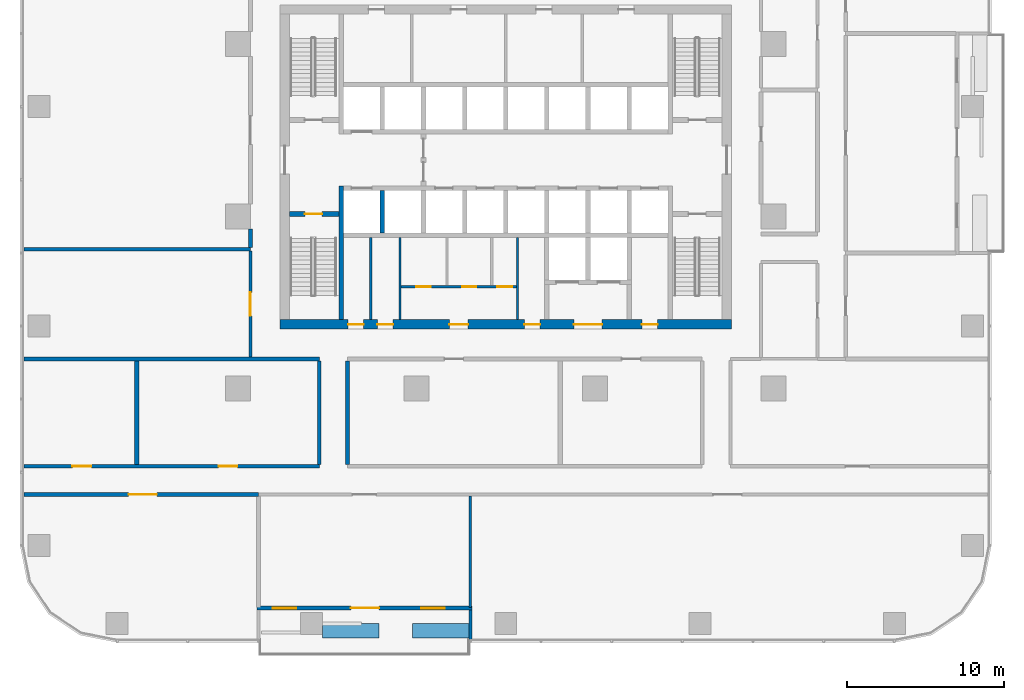
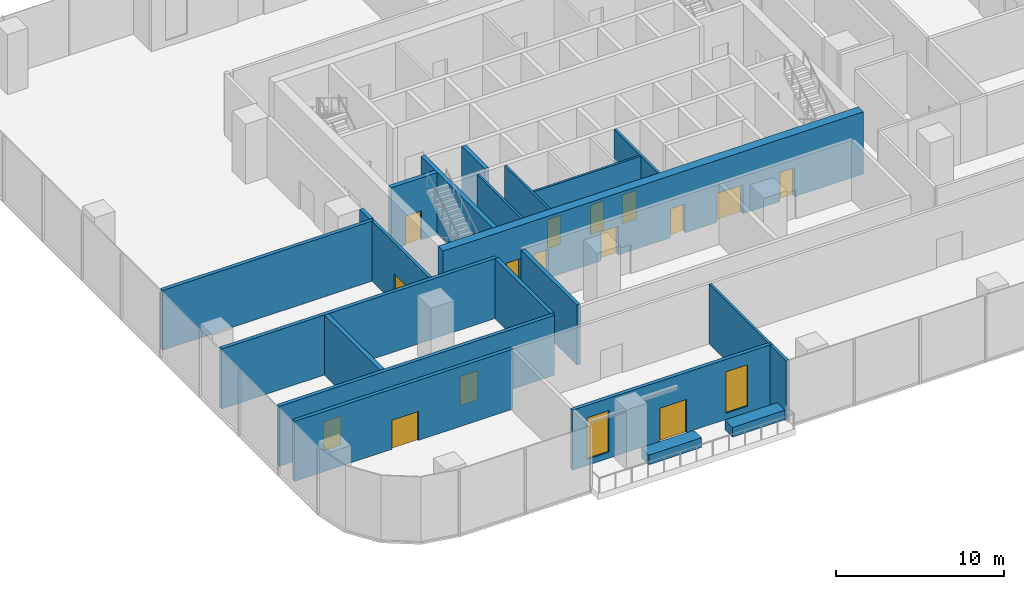
# One storey, part 7 of 15: 22 walls, 15 doors, 2 windows, 17 openings.
"""IFC4 building model written with IfcOpenShell, lengths in metres."""

from ifc_helpers import new_model, si_unit, direction, frame, frame_2d, origin, place, context, subcontext, project, spatial, rectangle, extrude, material, layer, layer_set, type_object, element, fill, save


model = new_model("IFC4")

# Units and contexts
model_context = context("Model", 3, precision=1e-05, world=origin(), true_north=direction((0.0, 1.0)))
body_context = subcontext(model_context, "Body", "Model", "MODEL_VIEW")
ifc_project = project(units=[si_unit("LENGTHUNIT", "METRE"), si_unit("AREAUNIT", "SQUARE_METRE"), si_unit("VOLUMEUNIT", "CUBIC_METRE"), si_unit("PLANEANGLEUNIT", "RADIAN"), si_unit("MASSUNIT", "GRAM", prefix="KILO")], contexts=[model_context])

# Site, building, storey
site_placement = place(None, origin())
site = spatial("IfcSite", under=ifc_project, at=site_placement, CompositionType="ELEMENT")
building_placement = place(site_placement, origin())
building = spatial("IfcBuilding", under=site, at=building_placement, Name="Mopane Tessera Tower", CompositionType="ELEMENT")
storey_placement = place(building_placement, frame((0.0, 0.0, 64.60009765625)))
storey = spatial("IfcBuildingStorey", under=building, at=storey_placement, Name="L12", CompositionType="ELEMENT", Elevation=64.60009765625)

# Walls
ifc_material_1 = material(Name="Fire-rated gypsum board partition")
ifc_layer_1 = layer(ifc_material_1, 0.14990234375)
ifc_layer_set_1 = layer_set([ifc_layer_1], Name="Fire-rated gypsum board partition")
wall_type_1 = type_object("IfcWallType", Name="Core room partition 150 mm", PredefinedType="PARTITIONING", material=ifc_layer_set_1)
for number, where, z_axis, x_axis, name in (
    (1, (-8.625, -6.60009765625, 0.0), (0.0, 0.0, 1.0), (0.0, 1.0, 0.0), "L12 Room partition"),
    (2, (-6.75, -6.60009765625, 0.0), (0.0, 0.0, 1.0), (0.0, 1.0, 0.0), "L12 Room partition"),
):
    element("IfcWall", number, at=place(storey_placement, frame(where, z_axis=z_axis, x_axis=x_axis)), inside=storey, type_object=wall_type_1, Name=name, PredefinedType="PARTITIONING", context=body_context, shape_type="SweptSolid", body=[
        extrude(rectangle(XDim=5.25, YDim=0.14990234375, at=frame_2d((2.625, 0.0))), origin(), (0.0, 0.0, 1.0), 4.5),
    ])

# Wall, openings, doors
wall_1_placement = place(storey_placement, frame((-6.675048828125, -4.5, 0.0), z_axis=(0.0, 0.0, 1.0), x_axis=(1.0, 0.0, 0.0)))
wall_1 = element("IfcWall", 3, at=wall_1_placement, inside=storey, type_object=wall_type_1, Name="L12 WC partition", PredefinedType="PARTITIONING", context=body_context, shape_type="SweptSolid", body=[
    extrude(rectangle(XDim=7.35009765625, YDim=0.14990234375, at=frame_2d((3.675048828125, 0.0))), origin(), (0.0, 0.0, 1.0), 4.5),
])
opening_1_placement = place(wall_1_placement, frame((0.97509765625, 0.0, 0.0)))
opening_1 = element("IfcOpeningElement", 4, at=opening_1_placement, cuts=wall_1, Name="Opening WD1", PredefinedType="OPENING", context=body_context, shape_type="SweptSolid", body=[
    extrude(rectangle(XDim=0.89990234375, YDim=2.10009765625, at=frame_2d((0.449951171875, 1.050048828125))), frame((0.0, 0.0869140625, 0.0), z_axis=(0.0, -1.0, 0.0), x_axis=(1.0, 0.0, 0.0)), (0.0, 0.0, 1.0), 0.173828125),
])
opening_2_placement = place(wall_1_placement, frame((3.89990234375, 0.0, 0.0)))
opening_2 = element("IfcOpeningElement", 5, at=opening_2_placement, cuts=wall_1, Name="Opening WD1", PredefinedType="OPENING", context=body_context, shape_type="SweptSolid", body=[
    extrude(rectangle(XDim=0.89990234375, YDim=2.10009765625, at=frame_2d((0.449951171875, 1.050048828125))), frame((0.0, 0.0869140625, 0.0), z_axis=(0.0, -1.0, 0.0), x_axis=(1.0, 0.0, 0.0)), (0.0, 0.0, 1.0), 0.173828125),
])
opening_3_placement = place(wall_1_placement, frame((6.125, 0.0, 0.0)))
opening_3 = element("IfcOpeningElement", 6, at=opening_3_placement, cuts=wall_1, Name="Opening WD2", PredefinedType="OPENING", context=body_context, shape_type="SweptSolid", body=[
    extrude(rectangle(XDim=0.949951171875, YDim=2.10009765625, at=frame_2d((0.47509765625, 1.050048828125))), frame((0.0, 0.0869140625, 0.0), z_axis=(0.0, -1.0, 0.0), x_axis=(1.0, 0.0, 0.0)), (0.0, 0.0, 1.0), 0.173828125),
])
ifc_material_2 = material(Name="Timber door", Category="wood")
door_type_1 = type_object("IfcDoorType", Name="Accessible WC door 950 x 2100", OperationType="SINGLE_SWING_LEFT", PredefinedType="DOOR", material=ifc_material_2)
door_1_placement = place(opening_3_placement, origin())
door_1 = element("IfcDoor", 7, at=door_1_placement, inside=storey, type_object=door_type_1, Name="L12 Accessible WC door", OperationType="SINGLE_SWING_LEFT", OverallHeight=2.10009765625, OverallWidth=0.949951171875, PredefinedType="DOOR", context=body_context, shape_type="SweptSolid", body=[
    extrude(rectangle(XDim=0.949951171875, YDim=2.10009765625, at=frame_2d((0.47509765625, 1.050048828125))), frame((0.0, 0.02490234375, 0.0), z_axis=(0.0, -1.0, 0.0), x_axis=(1.0, 0.0, 0.0)), (0.0, 0.0, 1.0), 0.050048828125),
])
fill(opening_3, door_1)
ifc_material_3 = material(Name="Timber door", Category="wood")
door_type_2 = type_object("IfcDoorType", Name="WC cubicle door 900 x 2100", OperationType="SINGLE_SWING_LEFT", PredefinedType="DOOR", material=ifc_material_3)
door_2_placement = place(opening_1_placement, origin())
door_2 = element("IfcDoor", 8, at=door_2_placement, inside=storey, type_object=door_type_2, Name="L12 Men's WC door", OperationType="SINGLE_SWING_LEFT", OverallHeight=2.10009765625, OverallWidth=0.89990234375, PredefinedType="DOOR", context=body_context, shape_type="SweptSolid", body=[
    extrude(rectangle(XDim=0.89990234375, YDim=2.10009765625, at=frame_2d((0.449951171875, 1.050048828125))), frame((0.0, 0.02490234375, 0.0), z_axis=(0.0, -1.0, 0.0), x_axis=(1.0, 0.0, 0.0)), (0.0, 0.0, 1.0), 0.050048828125),
])
fill(opening_1, door_2)
door_3_placement = place(opening_2_placement, origin())
door_3 = element("IfcDoor", 9, at=door_3_placement, inside=storey, type_object=door_type_2, Name="L12 Women's WC door", OperationType="SINGLE_SWING_LEFT", OverallHeight=2.10009765625, OverallWidth=0.89990234375, PredefinedType="DOOR", context=body_context, shape_type="SweptSolid", body=[
    extrude(rectangle(XDim=0.89990234375, YDim=2.10009765625, at=frame_2d((0.449951171875, 1.050048828125))), frame((0.0, 0.02490234375, 0.0), z_axis=(0.0, -1.0, 0.0), x_axis=(1.0, 0.0, 0.0)), (0.0, 0.0, 1.0), 0.050048828125),
])
fill(opening_2, door_3)

# Wall
wall_2_placement = place(storey_placement, frame((0.75, -6.60009765625, 0.0), z_axis=(0.0, 0.0, 1.0), x_axis=(0.0, 1.0, 0.0)))
element("IfcWall", 10, at=wall_2_placement, inside=storey, type_object=wall_type_1, Name="L12 Room partition", PredefinedType="PARTITIONING", context=body_context, shape_type="SweptSolid", body=[
    extrude(rectangle(XDim=5.25, YDim=0.14990234375, at=frame_2d((2.625, 0.0))), origin(), (0.0, 0.0, 1.0), 4.5),
])

# Wall, openings, doors
ifc_material_4 = material(Name="Concrete C70/85", Category="concrete")
ifc_layer_2 = layer(ifc_material_4, 0.60009765625)
ifc_layer_set_2 = layer_set([ifc_layer_2], Name="Concrete C70/85")
wall_type_2 = type_object("IfcWallType", Name="Core shear wall 600 mm", PredefinedType="SHEAR", material=ifc_layer_set_2)
wall_3_placement = place(storey_placement, frame((-14.39990234375, -6.89990234375, 0.0), z_axis=(0.0, 0.0, 1.0), x_axis=(1.0, 0.0, 0.0)))
wall_3 = element("IfcWall", 11, at=wall_3_placement, inside=storey, type_object=wall_type_2, Name="L12 Core wall south", PredefinedType="SHEAR", context=body_context, shape_type="SweptSolid", body=[
    extrude(rectangle(XDim=28.7998046875, YDim=0.60009765625, at=frame_2d((14.39990234375, 0.0))), origin(), (0.0, 0.0, 1.0), 4.5),
])
opening_4_placement = place(wall_3_placement, frame((4.33740234375, 0.0, 0.0)))
opening_4 = element("IfcOpeningElement", 12, at=opening_4_placement, cuts=wall_3, Name="Opening RD1", PredefinedType="OPENING", context=body_context, shape_type="SweptSolid", body=[
    extrude(rectangle(XDim=1.0, YDim=2.10009765625, at=frame_2d((0.5, 1.050048828125))), frame((0.0, 0.31201171875, 0.0), z_axis=(0.0, -1.0, 0.0), x_axis=(1.0, 0.0, 0.0)), (0.0, 0.0, 1.0), 0.6240234375),
])
opening_5_placement = place(wall_3_placement, frame((6.21240234375, 0.0, 0.0)))
opening_5 = element("IfcOpeningElement", 13, at=opening_5_placement, cuts=wall_3, Name="Opening RD1", PredefinedType="OPENING", context=body_context, shape_type="SweptSolid", body=[
    extrude(rectangle(XDim=1.0, YDim=2.10009765625, at=frame_2d((0.5, 1.050048828125))), frame((0.0, 0.31201171875, 0.0), z_axis=(0.0, -1.0, 0.0), x_axis=(1.0, 0.0, 0.0)), (0.0, 0.0, 1.0), 0.6240234375),
])
opening_6_placement = place(wall_3_placement, frame((10.800048828125, 0.0, 0.0)))
opening_6 = element("IfcOpeningElement", 14, at=opening_6_placement, cuts=wall_3, Name="Opening WD3", PredefinedType="OPENING", context=body_context, shape_type="SweptSolid", body=[
    extrude(rectangle(XDim=1.199951171875, YDim=2.10009765625, at=frame_2d((0.60009765625, 1.050048828125))), frame((0.0, 0.31201171875, 0.0), z_axis=(0.0, -1.0, 0.0), x_axis=(1.0, 0.0, 0.0)), (0.0, 0.0, 1.0), 0.6240234375),
])
opening_7_placement = place(wall_3_placement, frame((15.58740234375, 0.0, 0.0)))
opening_7 = element("IfcOpeningElement", 15, at=opening_7_placement, cuts=wall_3, Name="Opening RD1", PredefinedType="OPENING", context=body_context, shape_type="SweptSolid", body=[
    extrude(rectangle(XDim=1.0, YDim=2.10009765625, at=frame_2d((0.5, 1.050048828125))), frame((0.0, 0.31201171875, 0.0), z_axis=(0.0, -1.0, 0.0), x_axis=(1.0, 0.0, 0.0)), (0.0, 0.0, 1.0), 0.6240234375),
])
opening_8_placement = place(wall_3_placement, frame((18.75, 0.0, 0.0)))
opening_8 = element("IfcOpeningElement", 16, at=opening_8_placement, cuts=wall_3, Name="Opening SD2", PredefinedType="OPENING", context=body_context, shape_type="SweptSolid", body=[
    extrude(rectangle(XDim=1.800048828125, YDim=2.10009765625, at=frame_2d((0.89990234375, 1.050048828125))), frame((0.0, 0.31201171875, 0.0), z_axis=(0.0, -1.0, 0.0), x_axis=(1.0, 0.0, 0.0)), (0.0, 0.0, 1.0), 0.6240234375),
])
opening_9_placement = place(wall_3_placement, frame((23.08740234375, 0.0, 0.0)))
opening_9 = element("IfcOpeningElement", 17, at=opening_9_placement, cuts=wall_3, Name="Opening RD1", PredefinedType="OPENING", context=body_context, shape_type="SweptSolid", body=[
    extrude(rectangle(XDim=1.0, YDim=2.10009765625, at=frame_2d((0.5, 1.050048828125))), frame((0.0, 0.31201171875, 0.0), z_axis=(0.0, -1.0, 0.0), x_axis=(1.0, 0.0, 0.0)), (0.0, 0.0, 1.0), 0.6240234375),
])
ifc_material_5 = material(Name="Steel fire door", Category="steel")
door_type_3 = type_object("IfcDoorType", Name="Core entrance double door 1800 x 2100", OperationType="DOUBLE_DOOR_SINGLE_SWING", PredefinedType="DOOR", material=ifc_material_5)
door_4_placement = place(opening_8_placement, origin())
door_4 = element("IfcDoor", 18, at=door_4_placement, inside=storey, type_object=door_type_3, Name="L12 Service lobby door", OperationType="DOUBLE_DOOR_SINGLE_SWING", OverallHeight=2.10009765625, OverallWidth=1.800048828125, PredefinedType="DOOR", context=body_context, shape_type="SweptSolid", body=[
    extrude(rectangle(XDim=1.800048828125, YDim=2.10009765625, at=frame_2d((0.89990234375, 1.050048828125))), frame((0.0, 0.02490234375, 0.0), z_axis=(0.0, -1.0, 0.0), x_axis=(1.0, 0.0, 0.0)), (0.0, 0.0, 1.0), 0.050048828125),
])
fill(opening_8, door_4)
ifc_material_6 = material(Name="Timber door", Category="wood")
door_type_4 = type_object("IfcDoorType", Name="Core room door 1000 x 2100", OperationType="SINGLE_SWING_LEFT", PredefinedType="DOOR", material=ifc_material_6)
door_5_placement = place(opening_4_placement, origin())
door_5 = element("IfcDoor", 19, at=door_5_placement, inside=storey, type_object=door_type_4, Name="L12 Room door", OperationType="SINGLE_SWING_LEFT", OverallHeight=2.10009765625, OverallWidth=1.0, PredefinedType="DOOR", context=body_context, shape_type="SweptSolid", body=[
    extrude(rectangle(XDim=1.0, YDim=2.10009765625, at=frame_2d((0.5, 1.050048828125))), frame((0.0, 0.02490234375, 0.0), z_axis=(0.0, -1.0, 0.0), x_axis=(1.0, 0.0, 0.0)), (0.0, 0.0, 1.0), 0.050048828125),
])
fill(opening_4, door_5)
door_6_placement = place(opening_5_placement, origin())
door_6 = element("IfcDoor", 20, at=door_6_placement, inside=storey, type_object=door_type_4, Name="L12 Room door", OperationType="SINGLE_SWING_LEFT", OverallHeight=2.10009765625, OverallWidth=1.0, PredefinedType="DOOR", context=body_context, shape_type="SweptSolid", body=[
    extrude(rectangle(XDim=1.0, YDim=2.10009765625, at=frame_2d((0.5, 1.050048828125))), frame((0.0, 0.02490234375, 0.0), z_axis=(0.0, -1.0, 0.0), x_axis=(1.0, 0.0, 0.0)), (0.0, 0.0, 1.0), 0.050048828125),
])
fill(opening_5, door_6)
door_7_placement = place(opening_7_placement, origin())
door_7 = element("IfcDoor", 21, at=door_7_placement, inside=storey, type_object=door_type_4, Name="L12 Room door", OperationType="SINGLE_SWING_LEFT", OverallHeight=2.10009765625, OverallWidth=1.0, PredefinedType="DOOR", context=body_context, shape_type="SweptSolid", body=[
    extrude(rectangle(XDim=1.0, YDim=2.10009765625, at=frame_2d((0.5, 1.050048828125))), frame((0.0, 0.02490234375, 0.0), z_axis=(0.0, -1.0, 0.0), x_axis=(1.0, 0.0, 0.0)), (0.0, 0.0, 1.0), 0.050048828125),
])
fill(opening_7, door_7)
door_8_placement = place(opening_9_placement, origin())
door_8 = element("IfcDoor", 22, at=door_8_placement, inside=storey, type_object=door_type_4, Name="L12 Room door", OperationType="SINGLE_SWING_LEFT", OverallHeight=2.10009765625, OverallWidth=1.0, PredefinedType="DOOR", context=body_context, shape_type="SweptSolid", body=[
    extrude(rectangle(XDim=1.0, YDim=2.10009765625, at=frame_2d((0.5, 1.050048828125))), frame((0.0, 0.02490234375, 0.0), z_axis=(0.0, -1.0, 0.0), x_axis=(1.0, 0.0, 0.0)), (0.0, 0.0, 1.0), 0.050048828125),
])
fill(opening_9, door_8)
ifc_material_7 = material(Name="Timber door", Category="wood")
door_type_5 = type_object("IfcDoorType", Name="WC lobby door 1200 x 2100", OperationType="SINGLE_SWING_LEFT", PredefinedType="DOOR", material=ifc_material_7)
door_9_placement = place(opening_6_placement, origin())
door_9 = element("IfcDoor", 23, at=door_9_placement, inside=storey, type_object=door_type_5, Name="L12 WC lobby door", OperationType="SINGLE_SWING_LEFT", OverallHeight=2.10009765625, OverallWidth=1.199951171875, PredefinedType="DOOR", context=body_context, shape_type="SweptSolid", body=[
    extrude(rectangle(XDim=1.199951171875, YDim=2.10009765625, at=frame_2d((0.60009765625, 1.050048828125))), frame((0.0, 0.02490234375, 0.0), z_axis=(0.0, -1.0, 0.0), x_axis=(1.0, 0.0, 0.0)), (0.0, 0.0, 1.0), 0.050048828125),
])
fill(opening_6, door_9)

# Wall
ifc_material_8 = material(Name="Concrete C60/75", Category="concrete")
ifc_layer_3 = layer(ifc_material_8, 0.300048828125)
ifc_layer_set_3 = layer_set([ifc_layer_3], Name="Concrete C60/75")
wall_type_3 = type_object("IfcWallType", Name="Core spine wall 300 mm", PredefinedType="SHEAR", material=ifc_layer_set_3)
wall_4_placement = place(storey_placement, frame((-10.5, -6.60009765625, 0.0), z_axis=(0.0, 0.0, 1.0), x_axis=(0.0, 1.0, 0.0)))
element("IfcWall", 24, at=wall_4_placement, inside=storey, type_object=wall_type_3, Name="L12 Core spine wall", PredefinedType="SHEAR", context=body_context, shape_type="SweptSolid", body=[
    extrude(rectangle(XDim=8.550048828125, YDim=0.300048828125, at=frame_2d((4.27490234375, 0.0))), origin(), (0.0, 0.0, 1.0), 4.5),
])

# Wall, opening, door
ifc_material_9 = material(Name="Gypsum board on steel studs, two layers each face, mineral wool infill", Category="steel")
ifc_layer_4 = layer(ifc_material_9, 0.199951171875)
ifc_layer_set_4 = layer_set([ifc_layer_4], Name="Gypsum board on steel studs, two layers each face, mineral wool infill")
wall_type_4 = type_object("IfcWallType", Name="Gypsum board corridor wall 200, rated EI 60", PredefinedType="PARTITIONING", material=ifc_layer_set_4)
wall_5_placement = place(storey_placement, frame((-16.300048828125, -8.97509765625, 0.0), z_axis=(0.0, 0.0, 1.0), x_axis=(0.0, 1.0, 0.0)))
wall_5 = element("IfcWall", 25, at=wall_5_placement, inside=storey, type_object=wall_type_4, Name="Partition L12:022", PredefinedType="PARTITIONING", context=body_context, shape_type="SweptSolid", body=[
    extrude(rectangle(XDim=6.75, YDim=0.199951171875, at=frame_2d((3.375, 0.0))), origin(), (0.0, 0.0, 1.0), 4.349853515625),
])
opening_10_placement = place(wall_5_placement, frame((2.625, 0.0, 0.0)))
opening_10 = element("IfcOpeningElement", 26, at=opening_10_placement, cuts=wall_5, Name="Opening L12-04", PredefinedType="OPENING", context=body_context, shape_type="SweptSolid", body=[
    extrude(rectangle(XDim=1.5, YDim=2.10009765625, at=frame_2d((0.75, 1.050048828125))), frame((0.0, 0.112060546875, 0.0), z_axis=(0.0, -1.0, 0.0), x_axis=(1.0, 0.0, 0.0)), (0.0, 0.0, 1.0), 0.223876953125),
])
ifc_material_10 = material(Name="Timber veneered steel-framed fire door", Category="steel")
door_type_6 = type_object("IfcDoorType", Name="Fire door pair FD60 1500 x 2100", OperationType="DOUBLE_DOOR_SINGLE_SWING", PredefinedType="DOOR", material=ifc_material_10)
door_10_placement = place(opening_10_placement, origin())
door_10 = element("IfcDoor", 27, at=door_10_placement, inside=storey, type_object=door_type_6, Name="Door L12-04", ObjectType="D17A", OperationType="DOUBLE_DOOR_SINGLE_SWING", OverallHeight=2.10009765625, OverallWidth=1.5, PredefinedType="DOOR", context=body_context, shape_type="SweptSolid", body=[
    extrude(rectangle(XDim=1.5, YDim=2.10009765625, at=frame_2d((0.75, 1.050048828125))), frame((0.0, 0.02490234375, 0.0), z_axis=(0.0, -1.0, 0.0), x_axis=(1.0, 0.0, 0.0)), (0.0, 0.0, 1.0), 0.050048828125),
])
fill(opening_10, door_10)

# Wall
ifc_material_11 = material(Name="Gypsum board on steel studs, mineral wool infill", Category="steel")
ifc_layer_5 = layer(ifc_material_11, 0.14990234375)
ifc_layer_set_5 = layer_set([ifc_layer_5], Name="Gypsum board on steel studs, mineral wool infill")
wall_type_5 = type_object("IfcWallType", Name="Gypsum board partition 150, rated EI 60", PredefinedType="PARTITIONING", material=ifc_layer_set_5)
wall_6_placement = place(storey_placement, frame((-2.2548828125, -24.949951171875, 0.0), z_axis=(0.0, 0.0, 1.0), x_axis=(0.0, 1.0, 0.0)))
element("IfcWall", 28, at=wall_6_placement, inside=storey, type_object=wall_type_5, Name="Partition L12:029", PredefinedType="PARTITIONING", context=body_context, shape_type="SweptSolid", body=[
    extrude(rectangle(XDim=7.099853515625, YDim=0.14990234375, at=frame_2d((3.5498046875, 0.0))), origin(), (0.0, 0.0, 1.0), 4.349853515625),
])

# Wall, opening, door
ifc_material_12 = material(Name="Concrete C50/60", Category="concrete")
ifc_layer_6 = layer(ifc_material_12, 0.300048828125)
ifc_layer_set_6 = layer_set([ifc_layer_6], Name="Concrete C50/60")
wall_type_6 = type_object("IfcWallType", Name="Lift and stair shaft wall 300 mm", PredefinedType="SOLIDWALL", material=ifc_layer_set_6)
wall_7_placement = place(storey_placement, frame((-13.800048828125, 0.14990234375, 0.0), z_axis=(0.0, 0.0, 1.0), x_axis=(1.0, 0.0, 0.0)))
wall_7 = element("IfcWall", 29, at=wall_7_placement, inside=storey, type_object=wall_type_6, Name="L12 Stair enclosure wall", PredefinedType="SOLIDWALL", context=body_context, shape_type="SweptSolid", body=[
    extrude(rectangle(XDim=3.150146484375, YDim=0.300048828125, at=frame_2d((1.5751953125, 0.0))), origin(), (0.0, 0.0, 1.0), 4.5),
])
opening_11_placement = place(wall_7_placement, frame((0.97509765625, 0.0, 0.0)))
opening_11 = element("IfcOpeningElement", 30, at=opening_11_placement, cuts=wall_7, Name="Opening SD1", PredefinedType="OPENING", context=body_context, shape_type="SweptSolid", body=[
    extrude(rectangle(XDim=1.10009765625, YDim=2.10009765625, at=frame_2d((0.550048828125, 1.050048828125))), frame((0.0, 0.162109375, 0.0), z_axis=(0.0, -1.0, 0.0), x_axis=(1.0, 0.0, 0.0)), (0.0, 0.0, 1.0), 0.323974609375),
])
ifc_material_13 = material(Name="Steel fire door", Category="steel")
door_type_7 = type_object("IfcDoorType", Name="Stair fire door 1100 x 2100", OperationType="SINGLE_SWING_LEFT", PredefinedType="DOOR", material=ifc_material_13)
door_11_placement = place(opening_11_placement, origin())
door_11 = element("IfcDoor", 31, at=door_11_placement, inside=storey, type_object=door_type_7, Name="L12 Stair door ST1", OperationType="SINGLE_SWING_LEFT", OverallHeight=2.10009765625, OverallWidth=1.10009765625, PredefinedType="DOOR", context=body_context, shape_type="SweptSolid", body=[
    extrude(rectangle(XDim=1.10009765625, YDim=2.10009765625, at=frame_2d((0.550048828125, 1.050048828125))), frame((0.0, 0.02490234375, 0.0), z_axis=(0.0, -1.0, 0.0), x_axis=(1.0, 0.0, 0.0)), (0.0, 0.0, 1.0), 0.050048828125),
])
fill(opening_11, door_11)

# Walls
wall_8_placement = place(storey_placement, frame((-7.875, -1.050048828125, 0.0), z_axis=(0.0, 0.0, 1.0), x_axis=(0.0, 1.0, 0.0)))
element("IfcWall", 32, at=wall_8_placement, inside=storey, type_object=wall_type_6, Name="L12 Lift shaft wall", PredefinedType="SOLIDWALL", context=body_context, shape_type="SweptSolid", body=[
    extrude(rectangle(XDim=2.699951171875, YDim=0.300048828125, at=frame_2d((1.35009765625, 0.0))), origin(), (0.0, 0.0, 1.0), 4.5),
])
ifc_material_14 = material(Name="Reinforced concrete C32/40 with waterproofing", Category="concrete")
ifc_layer_7 = layer(ifc_material_14, 0.89990234375)
ifc_layer_set_7 = layer_set([ifc_layer_7], Name="Reinforced concrete C32/40 with waterproofing")
wall_type_7 = type_object("IfcWallType", Name="Planter trough 3600 x 900", PredefinedType="STANDARD", material=ifc_layer_set_7)
for number, where, z_axis, x_axis, name in (
    (33, (-11.679931640625, -26.449951171875, 0.0), (0.0, 0.0, 1.0), (1.0, 0.0, 0.0), "e:nw:L12:N3:pl0"),
    (34, (-5.95458984375, -26.449951171875, 0.0), (0.0, 0.0, 1.0), (1.0, 0.0, 0.0), "e:nw:L12:N3:pl1"),
):
    element("IfcWall", number, at=place(storey_placement, frame(where, z_axis=z_axis, x_axis=x_axis)), inside=storey, type_object=wall_type_7, Name=name, PredefinedType="STANDARD", context=body_context, shape_type="SweptSolid", body=[
        extrude(rectangle(XDim=3.60009765625, YDim=0.89990234375, at=frame_2d((1.800048828125, 0.0))), origin(), (0.0, 0.0, 1.0), 0.699951171875),
    ])
ifc_material_15 = material(Name="Plastered concrete blockwork C20/25", Category="masonry")
ifc_layer_8 = layer(ifc_material_15, 0.300048828125)
ifc_layer_set_8 = layer_set([ifc_layer_8], Name="Plastered concrete blockwork C20/25")
wall_type_8 = type_object("IfcWallType", Name="Plastered blockwork separation wall 300, rated EI 120", PredefinedType="PARTITIONING", material=ifc_layer_set_8)
wall_9_placement = place(storey_placement, frame((-23.554931640625, -15.824951171875, 0.0), z_axis=(0.0, 0.0, 1.0), x_axis=(0.0, 1.0, 0.0)))
element("IfcWall", 35, at=wall_9_placement, inside=storey, type_object=wall_type_8, Name="Partition L12:021", PredefinedType="PARTITIONING", context=body_context, shape_type="SweptSolid", body=[
    extrude(rectangle(XDim=6.599853515625, YDim=0.300048828125, at=frame_2d((3.2998046875, 0.0))), origin(), (0.0, 0.0, 1.0), 4.349853515625),
])

# Wall, opening, door
ifc_material_16 = material(Name="Plastered concrete blockwork C20/25", Category="masonry")
ifc_layer_9 = layer(ifc_material_16, 0.25)
ifc_layer_set_9 = layer_set([ifc_layer_9], Name="Plastered concrete blockwork C20/25")
wall_type_9 = type_object("IfcWallType", Name="Plastered blockwork wall 250, rated EI 120", PredefinedType="PARTITIONING", material=ifc_layer_set_9)
wall_10_placement = place(storey_placement, frame((-30.75, -17.75, 0.0), z_axis=(0.0, 0.0, 1.0), x_axis=(1.0, 0.0, 0.0)))
wall_10 = element("IfcWall", 36, at=wall_10_placement, inside=storey, type_object=wall_type_9, Name="Partition L12:001", PredefinedType="PARTITIONING", context=body_context, shape_type="SweptSolid", body=[
    extrude(rectangle(XDim=14.969970703125, YDim=0.25, at=frame_2d((7.48486328125, 0.0))), origin(), (0.0, 0.0, 1.0), 4.349853515625),
])
opening_12_placement = place(wall_10_placement, frame((6.68505859375, 0.0, 0.0)))
opening_12 = element("IfcOpeningElement", 37, at=opening_12_placement, cuts=wall_10, Name="Opening L12-09", PredefinedType="OPENING", context=body_context, shape_type="SweptSolid", body=[
    extrude(rectangle(XDim=1.800048828125, YDim=2.10009765625, at=frame_2d((0.89990234375, 1.050048828125))), frame((0.0, 0.136962890625, 0.0), z_axis=(0.0, -1.0, 0.0), x_axis=(1.0, 0.0, 0.0)), (0.0, 0.0, 1.0), 0.27392578125),
])
ifc_material_17 = material(Name="Timber veneered steel-framed fire door", Category="steel")
door_type_8 = type_object("IfcDoorType", Name="Fire door pair FD120 1800 x 2100", OperationType="DOUBLE_DOOR_SINGLE_SWING", PredefinedType="DOOR", material=ifc_material_17)
door_12_placement = place(opening_12_placement, origin())
door_12 = element("IfcDoor", 38, at=door_12_placement, inside=storey, type_object=door_type_8, Name="Door L12-09", ObjectType="D20B", OperationType="DOUBLE_DOOR_SINGLE_SWING", OverallHeight=2.10009765625, OverallWidth=1.800048828125, PredefinedType="DOOR", context=body_context, shape_type="SweptSolid", body=[
    extrude(rectangle(XDim=1.800048828125, YDim=2.10009765625, at=frame_2d((0.89990234375, 1.050048828125))), frame((0.0, 0.02490234375, 0.0), z_axis=(0.0, -1.0, 0.0), x_axis=(1.0, 0.0, 0.0)), (0.0, 0.0, 1.0), 0.050048828125),
])
fill(opening_12, door_12)

# Wall, openings, doors
wall_11_placement = place(storey_placement, frame((-30.75, -15.949951171875, 0.0), z_axis=(0.0, 0.0, 1.0), x_axis=(1.0, 0.0, 0.0)))
wall_11 = element("IfcWall", 39, at=wall_11_placement, inside=storey, type_object=wall_type_9, Name="Partition L12:003", PredefinedType="PARTITIONING", context=body_context, shape_type="SweptSolid", body=[
    extrude(rectangle(XDim=18.85009765625, YDim=0.25, at=frame_2d((9.425048828125, 0.0))), origin(), (0.0, 0.0, 1.0), 4.349853515625),
])
opening_13_placement = place(wall_11_placement, frame((3.097412109375, 0.0, 0.0)))
opening_13 = element("IfcOpeningElement", 40, at=opening_13_placement, cuts=wall_11, Name="Opening L12-01", PredefinedType="OPENING", context=body_context, shape_type="SweptSolid", body=[
    extrude(rectangle(XDim=1.199951171875, YDim=2.10009765625, at=frame_2d((0.60009765625, 1.050048828125))), frame((0.0, 0.136962890625, 0.0), z_axis=(0.0, -1.0, 0.0), x_axis=(1.0, 0.0, 0.0)), (0.0, 0.0, 1.0), 0.27392578125),
])
opening_14_placement = place(wall_11_placement, frame((12.422607421875, 0.0, 0.0)))
opening_14 = element("IfcOpeningElement", 41, at=opening_14_placement, cuts=wall_11, Name="Opening L12-11", PredefinedType="OPENING", context=body_context, shape_type="SweptSolid", body=[
    extrude(rectangle(XDim=1.199951171875, YDim=2.10009765625, at=frame_2d((0.60009765625, 1.050048828125))), frame((0.0, 0.136962890625, 0.0), z_axis=(0.0, -1.0, 0.0), x_axis=(1.0, 0.0, 0.0)), (0.0, 0.0, 1.0), 0.27392578125),
])
ifc_material_18 = material(Name="Timber veneered steel-framed fire door", Category="steel")
door_type_9 = type_object("IfcDoorType", Name="Fire door FD120 1200 x 2100", OperationType="SINGLE_SWING_LEFT", PredefinedType="DOOR", material=ifc_material_18)
door_13_placement = place(opening_13_placement, origin())
door_13 = element("IfcDoor", 42, at=door_13_placement, inside=storey, type_object=door_type_9, Name="Door L12-01", ObjectType="D15B", OperationType="SINGLE_SWING_LEFT", OverallHeight=2.10009765625, OverallWidth=1.199951171875, PredefinedType="DOOR", context=body_context, shape_type="SweptSolid", body=[
    extrude(rectangle(XDim=1.199951171875, YDim=2.10009765625, at=frame_2d((0.60009765625, 1.050048828125))), frame((0.0, 0.02490234375, 0.0), z_axis=(0.0, -1.0, 0.0), x_axis=(1.0, 0.0, 0.0)), (0.0, 0.0, 1.0), 0.050048828125),
])
fill(opening_13, door_13)
door_14_placement = place(opening_14_placement, origin())
door_14 = element("IfcDoor", 43, at=door_14_placement, inside=storey, type_object=door_type_9, Name="Door L12-11", ObjectType="D15B", OperationType="SINGLE_SWING_LEFT", OverallHeight=2.10009765625, OverallWidth=1.199951171875, PredefinedType="DOOR", context=body_context, shape_type="SweptSolid", body=[
    extrude(rectangle(XDim=1.199951171875, YDim=2.10009765625, at=frame_2d((0.60009765625, 1.050048828125))), frame((0.0, 0.02490234375, 0.0), z_axis=(0.0, -1.0, 0.0), x_axis=(1.0, 0.0, 0.0)), (0.0, 0.0, 1.0), 0.050048828125),
])
fill(opening_14, door_14)

# Walls
wall_12_placement = place(storey_placement, frame((-30.75, -9.10009765625, 0.0), z_axis=(0.0, 0.0, 1.0), x_axis=(1.0, 0.0, 0.0)))
element("IfcWall", 44, at=wall_12_placement, inside=storey, type_object=wall_type_9, Name="Partition L12:008", PredefinedType="PARTITIONING", context=body_context, shape_type="SweptSolid", body=[
    extrude(rectangle(XDim=18.85009765625, YDim=0.25, at=frame_2d((9.425048828125, 0.0))), origin(), (0.0, 0.0, 1.0), 4.349853515625),
])
wall_13_placement = place(storey_placement, frame((-30.75, -2.10009765625, 0.0), z_axis=(0.0, 0.0, 1.0), x_axis=(1.0, 0.0, 0.0)))
element("IfcWall", 45, at=wall_13_placement, inside=storey, type_object=wall_type_9, Name="Partition L12:013", PredefinedType="PARTITIONING", context=body_context, shape_type="SweptSolid", body=[
    extrude(rectangle(XDim=14.449951171875, YDim=0.25, at=frame_2d((7.22509765625, 0.0))), origin(), (0.0, 0.0, 1.0), 4.349853515625),
])
wall_14_placement = place(storey_placement, frame((-16.300048828125, -1.97509765625, 0.0), z_axis=(0.0, 0.0, 1.0), x_axis=(0.0, 1.0, 0.0)))
element("IfcWall", 46, at=wall_14_placement, inside=storey, type_object=wall_type_9, Name="Partition L12:023", PredefinedType="PARTITIONING", context=body_context, shape_type="SweptSolid", body=[
    extrude(rectangle(XDim=1.175048828125, YDim=0.25, at=frame_2d((0.58740234375, 0.0))), origin(), (0.0, 0.0, 1.0), 4.349853515625),
])
for number, where, z_axis, x_axis, name in (
    (47, (-11.89990234375, -15.824951171875, 0.0), (0.0, 0.0, 1.0), (0.0, 1.0, 0.0), "Partition L12:027"),
    (48, (-10.10009765625, -15.824951171875, 0.0), (0.0, 0.0, 1.0), (0.0, 1.0, 0.0), "Partition L12:028"),
):
    element("IfcWall", number, at=place(storey_placement, frame(where, z_axis=z_axis, x_axis=x_axis)), inside=storey, type_object=wall_type_9, Name=name, PredefinedType="PARTITIONING", context=body_context, shape_type="SweptSolid", body=[
        extrude(rectangle(XDim=6.599853515625, YDim=0.25, at=frame_2d((3.2998046875, 0.0))), origin(), (0.0, 0.0, 1.0), 4.349853515625),
    ])
ifc_material_19 = material(Name="Blockwork with glazed tile facing", Category="masonry")
ifc_layer_10 = layer(ifc_material_19, 0.199951171875)
ifc_layer_set_10 = layer_set([ifc_layer_10], Name="Blockwork with glazed tile facing")
wall_type_10 = type_object("IfcWallType", Name="Terrace cheek wall 200", PredefinedType="STANDARD", material=ifc_layer_set_10)
wall_15_placement = place(storey_placement, frame((-2.254638671875, -27.0, 0.0), z_axis=(0.0, 0.0, 1.0), x_axis=(0.0, 1.0, 0.0)))
element("IfcWall", 49, at=wall_15_placement, inside=storey, type_object=wall_type_10, Name="e:nw:L12:N3:cheekb", PredefinedType="STANDARD", context=body_context, shape_type="SweptSolid", body=[
    extrude(rectangle(XDim=1.875, YDim=0.199951171875, at=frame_2d((0.9375, 0.0))), origin(), (0.0, 0.0, 1.0), 4.349853515625),
])

# Wall, openings, windows, door
ifc_material_20 = material(Name="Blockwork with ochre glazed tile facing", Category="masonry")
ifc_layer_11 = layer(ifc_material_20, 0.25)
ifc_layer_set_11 = layer_set([ifc_layer_11], Name="Blockwork with ochre glazed tile facing")
wall_type_11 = type_object("IfcWallType", Name="Tile-clad external wall 250, ochre", PredefinedType="STANDARD", material=ifc_layer_set_11)
wall_16_placement = place(storey_placement, frame((-15.8818359375, -25.0, 0.0), z_axis=(0.0, 0.0, 1.0), x_axis=(1.0, 0.0, 0.0)))
wall_16 = element("IfcWall", 50, at=wall_16_placement, inside=storey, type_object=wall_type_11, Name="e:nw:L12:N3:back", PredefinedType="STANDARD", context=body_context, shape_type="SweptSolid", body=[
    extrude(rectangle(XDim=13.727294921875, YDim=0.25, at=frame_2d((6.86376953125, 0.0))), origin(), (0.0, 0.0, 1.0), 4.349853515625),
])
opening_15_placement = place(wall_16_placement, frame((1.0, 0.0, 0.449951171875)))
opening_15 = element("IfcOpeningElement", 51, at=opening_15_placement, cuts=wall_16, Name="Opening NW123A", PredefinedType="OPENING", context=body_context, shape_type="SweptSolid", body=[
    extrude(rectangle(XDim=1.5, YDim=3.0, at=frame_2d((0.75, 1.5))), frame((0.0, 0.136962890625, 0.0), z_axis=(0.0, -1.0, 0.0), x_axis=(1.0, 0.0, 0.0)), (0.0, 0.0, 1.0), 0.27392578125),
])
opening_16_placement = place(wall_16_placement, frame((6.0, 0.0, 0.0)))
opening_16 = element("IfcOpeningElement", 52, at=opening_16_placement, cuts=wall_16, Name="Opening ND123", PredefinedType="OPENING", context=body_context, shape_type="SweptSolid", body=[
    extrude(rectangle(XDim=1.800048828125, YDim=2.39990234375, at=frame_2d((0.89990234375, 1.199951171875))), frame((0.0, 0.136962890625, 0.0), z_axis=(0.0, -1.0, 0.0), x_axis=(1.0, 0.0, 0.0)), (0.0, 0.0, 1.0), 0.27392578125),
])
opening_17_placement = place(wall_16_placement, frame((10.5, 0.0, 0.449951171875)))
opening_17 = element("IfcOpeningElement", 53, at=opening_17_placement, cuts=wall_16, Name="Opening NW123B", PredefinedType="OPENING", context=body_context, shape_type="SweptSolid", body=[
    extrude(rectangle(XDim=1.5, YDim=3.0, at=frame_2d((0.75, 1.5))), frame((0.0, 0.136962890625, 0.0), z_axis=(0.0, -1.0, 0.0), x_axis=(1.0, 0.0, 0.0)), (0.0, 0.0, 1.0), 0.27392578125),
])
ifc_material_21 = material(Name="Clear laminated glass", Category="glass")
window_type = type_object("IfcWindowType", Name="Fixed window 1500 x 3000", PartitioningType="SINGLE_PANEL", PredefinedType="WINDOW", material=ifc_material_21)
window_1_placement = place(opening_15_placement, origin())
window_1 = element("IfcWindow", 54, at=window_1_placement, inside=storey, type_object=window_type, Name="e:nw:L12:N3:win0", OverallHeight=3.0, OverallWidth=1.5, PartitioningType="SINGLE_PANEL", PredefinedType="WINDOW", context=body_context, shape_type="SweptSolid", body=[
    extrude(rectangle(XDim=1.5, YDim=3.0, at=frame_2d((0.75, 1.5))), frame((0.0, 0.030029296875, 0.0), z_axis=(0.0, -1.0, 0.0), x_axis=(1.0, 0.0, 0.0)), (0.0, 0.0, 1.0), 0.06005859375),
])
fill(opening_15, window_1)
window_2_placement = place(opening_17_placement, origin())
window_2 = element("IfcWindow", 55, at=window_2_placement, inside=storey, type_object=window_type, Name="e:nw:L12:N3:win2", OverallHeight=3.0, OverallWidth=1.5, PartitioningType="SINGLE_PANEL", PredefinedType="WINDOW", context=body_context, shape_type="SweptSolid", body=[
    extrude(rectangle(XDim=1.5, YDim=3.0, at=frame_2d((0.75, 1.5))), frame((0.0, 0.030029296875, 0.0), z_axis=(0.0, -1.0, 0.0), x_axis=(1.0, 0.0, 0.0)), (0.0, 0.0, 1.0), 0.06005859375),
])
fill(opening_17, window_2)
ifc_material_22 = material(Name="Aluminium and clear glass", Category="aluminium")
door_type_10 = type_object("IfcDoorType", Name="Terrace double door 1800 x 2400", OperationType="DOUBLE_DOOR_SINGLE_SWING", PredefinedType="DOOR", material=ifc_material_22)
door_15_placement = place(opening_16_placement, origin())
door_15 = element("IfcDoor", 56, at=door_15_placement, inside=storey, type_object=door_type_10, Name="e:nw:L12:N3:door", ObjectType="D1", OperationType="DOUBLE_DOOR_SINGLE_SWING", OverallHeight=2.39990234375, OverallWidth=1.800048828125, PredefinedType="DOOR", context=body_context, shape_type="SweptSolid", body=[
    extrude(rectangle(XDim=1.800048828125, YDim=2.39990234375, at=frame_2d((0.89990234375, 1.199951171875))), frame((0.0, 0.02490234375, 0.0), z_axis=(0.0, -1.0, 0.0), x_axis=(1.0, 0.0, 0.0)), (0.0, 0.0, 1.0), 0.050048828125),
])
fill(opening_16, door_15)

save(model, "model.ifc")
